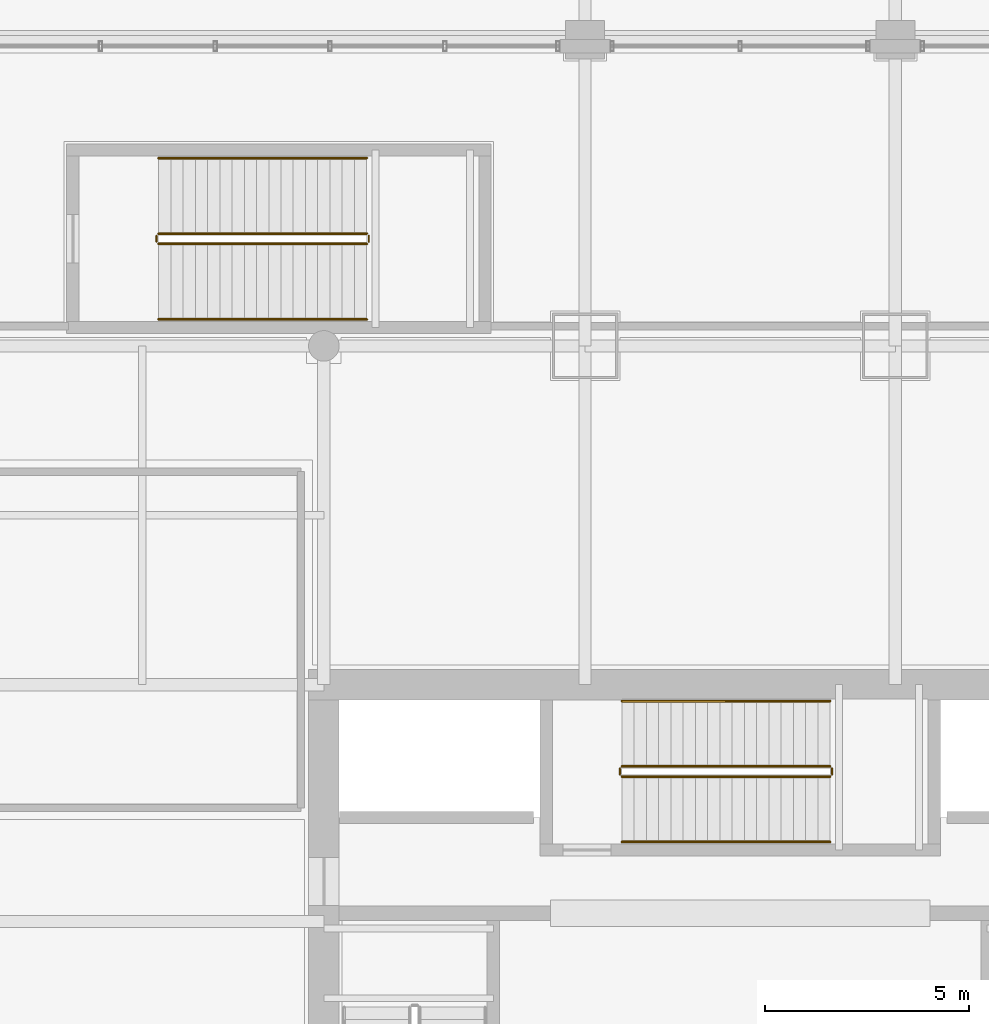
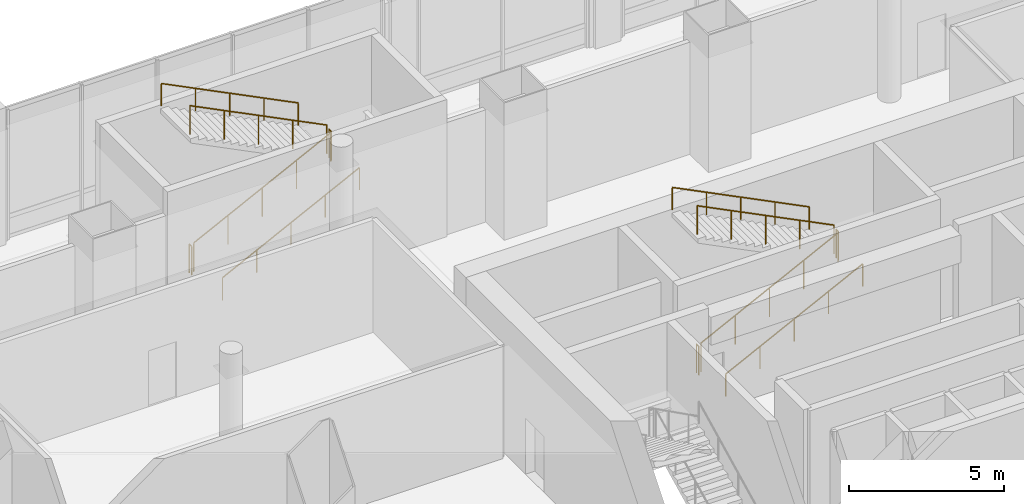
# One storey, part 40 of 43: 12 railings.
"""IFC4 building model written with IfcOpenShell, lengths in metres."""

from ifc_helpers import new_model, si_unit, direction, frame, origin, origin_2d, place, context, subcontext, project, spatial, circle, extrude, material, type_object, element, save


model = new_model("IFC4")

# Units and contexts
model_context = context("Model", 3, precision=1e-05, world=origin(), true_north=direction((0.0, 1.0)))
body_context = subcontext(model_context, "Body", "Model", "MODEL_VIEW")
ifc_project = project(units=[si_unit("LENGTHUNIT", "METRE"), si_unit("AREAUNIT", "SQUARE_METRE"), si_unit("VOLUMEUNIT", "CUBIC_METRE"), si_unit("PLANEANGLEUNIT", "RADIAN"), si_unit("MASSUNIT", "GRAM", prefix="KILO")], contexts=[model_context])

# Site, building, storey
site_placement = place(None, origin())
site = spatial("IfcSite", under=ifc_project, at=site_placement, CompositionType="ELEMENT")
building_placement = place(site_placement, origin())
building = spatial("IfcBuilding", under=site, at=building_placement, Name="Punatoya Terracotta Tower", CompositionType="ELEMENT")
storey_placement = place(building_placement, frame((0.0, 0.0, 6.0)))
storey = spatial("IfcBuildingStorey", under=building, at=storey_placement, Name="L01", CompositionType="ELEMENT", Elevation=6.0)

# Railings
ifc_material = material(Name="Steel S355", Category="steel")
railing_type_1 = type_object("IfcRailingType", Name="RLG-GRD-1150", PredefinedType="GUARDRAIL", material=ifc_material)
railing_1_placement = place(storey_placement, frame((-2.89990234375, 6.949951171875, 0.14990234375)))
element("IfcRailing", 1, at=railing_1_placement, inside=storey, type_object=railing_type_1, Name="L01 ST-3 stair guard 1", PredefinedType="GUARDRAIL", context=body_context, shape_type="SweptSolid", body=[
    extrude(circle(Radius=0.02392578125, at=origin_2d()), frame((0.0, 0.0, 1.1259765625), z_axis=(0.894418627299, 0.0, 0.447230722492), x_axis=(0.0, 1.0, 0.0)), (0.0, 0.0, 1.0), 5.701904296875),
    extrude(circle(Radius=0.02099609375, at=origin_2d()), origin(), (0.0, 0.0, 1.0), 1.101806640625),
    extrude(circle(Radius=0.02099609375, at=origin_2d()), frame((1.27490234375, 0.0, 0.637451171875)), (0.0, 0.0, 1.0), 1.101806640625),
    extrude(circle(Radius=0.02099609375, at=origin_2d()), frame((2.5498046875, 0.0, 1.27490234375)), (0.0, 0.0, 1.0), 1.101806640625),
    extrude(circle(Radius=0.02099609375, at=origin_2d()), frame((3.824951171875, 0.0, 1.91259765625)), (0.0, 0.0, 1.0), 1.101806640625),
    extrude(circle(Radius=0.02099609375, at=origin_2d()), frame((5.099853515625, 0.0, 2.550048828125)), (0.0, 0.0, 1.0), 1.101806640625),
])
railing_2_placement = place(storey_placement, frame((2.25, 7.0, 2.699951171875)))
element("IfcRailing", 2, at=railing_2_placement, inside=storey, type_object=railing_type_1, Name="L01 ST-3 stair guard 2", PredefinedType="GUARDRAIL", context=body_context, shape_type="SweptSolid", body=[
    extrude(circle(Radius=0.02392578125, at=origin_2d()), frame((0.0, 0.0, 1.1259765625), z_axis=(0.0, 1.0, 0.0), x_axis=(-1.0, 0.0, 0.0)), (0.0, 0.0, 1.0), 0.14990234375),
    extrude(circle(Radius=0.02099609375, at=origin_2d()), origin(), (0.0, 0.0, 1.0), 1.101806640625),
    extrude(circle(Radius=0.02099609375, at=origin_2d()), frame((0.0, 0.14990234375, 0.0)), (0.0, 0.0, 1.0), 1.101806640625),
])
railing_3_placement = place(storey_placement, frame((2.199951171875, 7.199951171875, 2.85009765625)))
element("IfcRailing", 3, at=railing_3_placement, inside=storey, type_object=railing_type_1, Name="L01 ST-3 stair guard 3", PredefinedType="GUARDRAIL", context=body_context, shape_type="SweptSolid", body=[
    extrude(circle(Radius=0.02392578125, at=origin_2d()), frame((0.0, 0.0, 1.1259765625), z_axis=(-0.894435754537, 0.0, 0.447196468016), x_axis=(0.0, -1.0, 0.0)), (0.0, 0.0, 1.0), 5.70166015625),
    extrude(circle(Radius=0.02099609375, at=origin_2d()), origin(), (0.0, 0.0, 1.0), 1.101806640625),
    extrude(circle(Radius=0.02099609375, at=origin_2d()), frame((-1.27490234375, 0.0, 0.637451171875)), (0.0, 0.0, 1.0), 1.101806640625),
    extrude(circle(Radius=0.02099609375, at=origin_2d()), frame((-2.5498046875, 0.0, 1.27490234375)), (0.0, 0.0, 1.0), 1.101806640625),
    extrude(circle(Radius=0.02099609375, at=origin_2d()), frame((-3.824951171875, 0.0, 1.912353515625)), (0.0, 0.0, 1.0), 1.101806640625),
    extrude(circle(Radius=0.02099609375, at=origin_2d()), frame((-5.099853515625, 0.0, 2.5498046875)), (0.0, 0.0, 1.0), 1.101806640625),
])
railing_4_placement = place(storey_placement, frame((-2.949951171875, 7.0, 0.0)))
element("IfcRailing", 4, at=railing_4_placement, inside=storey, type_object=railing_type_1, Name="L01 ST-3 stair guard 4", PredefinedType="GUARDRAIL", context=body_context, shape_type="SweptSolid", body=[
    extrude(circle(Radius=0.02392578125, at=origin_2d()), frame((0.0, 0.0, 1.1259765625), z_axis=(0.0, 1.0, 0.0), x_axis=(-1.0, 0.0, 0.0)), (0.0, 0.0, 1.0), 0.14990234375),
    extrude(circle(Radius=0.02099609375, at=origin_2d()), origin(), (0.0, 0.0, 1.0), 1.101806640625),
    extrude(circle(Radius=0.02099609375, at=origin_2d()), frame((0.0, 0.14990234375, 0.0)), (0.0, 0.0, 1.0), 1.101806640625),
])
railing_5_placement = place(storey_placement, frame((-14.25, 20.0, 0.14990234375)))
element("IfcRailing", 5, at=railing_5_placement, inside=storey, type_object=railing_type_1, Name="L01 ST-P1 stair guard 1", PredefinedType="GUARDRAIL", context=body_context, shape_type="SweptSolid", body=[
    extrude(circle(Radius=0.02392578125, at=origin_2d()), frame((0.0, 0.0, 1.1259765625), z_axis=(0.894427191, 0.0, 0.4472135955), x_axis=(0.0, 1.0, 0.0)), (0.0, 0.0, 1.0), 5.7021484375),
    extrude(circle(Radius=0.02099609375, at=origin_2d()), origin(), (0.0, 0.0, 1.0), 1.101806640625),
    extrude(circle(Radius=0.02099609375, at=origin_2d()), frame((1.27490234375, 0.0, 0.637451171875)), (0.0, 0.0, 1.0), 1.101806640625),
    extrude(circle(Radius=0.02099609375, at=origin_2d()), frame((2.550048828125, 0.0, 1.27490234375)), (0.0, 0.0, 1.0), 1.101806640625),
    extrude(circle(Radius=0.02099609375, at=origin_2d()), frame((3.8251953125, 0.0, 1.91259765625)), (0.0, 0.0, 1.0), 1.101806640625),
    extrude(circle(Radius=0.02099609375, at=origin_2d()), frame((5.10009765625, 0.0, 2.550048828125)), (0.0, 0.0, 1.0), 1.101806640625),
])
railing_6_placement = place(storey_placement, frame((-9.10009765625, 20.050048828125, 2.699951171875)))
element("IfcRailing", 6, at=railing_6_placement, inside=storey, type_object=railing_type_1, Name="L01 ST-P1 stair guard 2", PredefinedType="GUARDRAIL", context=body_context, shape_type="SweptSolid", body=[
    extrude(circle(Radius=0.02392578125, at=origin_2d()), frame((0.0, 0.0, 1.1259765625), z_axis=(0.0, 1.0, 0.0), x_axis=(-1.0, 0.0, 0.0)), (0.0, 0.0, 1.0), 0.14990234375),
    extrude(circle(Radius=0.02099609375, at=origin_2d()), origin(), (0.0, 0.0, 1.0), 1.101806640625),
    extrude(circle(Radius=0.02099609375, at=origin_2d()), frame((0.0, 0.14990234375, 0.0)), (0.0, 0.0, 1.0), 1.101806640625),
])
railing_7_placement = place(storey_placement, frame((-9.14990234375, 20.25, 2.85009765625)))
element("IfcRailing", 7, at=railing_7_placement, inside=storey, type_object=railing_type_1, Name="L01 ST-P1 stair guard 3", PredefinedType="GUARDRAIL", context=body_context, shape_type="SweptSolid", body=[
    extrude(circle(Radius=0.02392578125, at=origin_2d()), frame((0.0, 0.0, 1.1259765625), z_axis=(-0.89444431709, 0.0, 0.44717934168), x_axis=(0.0, -1.0, 0.0)), (0.0, 0.0, 1.0), 5.701904296875),
    extrude(circle(Radius=0.02099609375, at=origin_2d()), origin(), (0.0, 0.0, 1.0), 1.101806640625),
    extrude(circle(Radius=0.02099609375, at=origin_2d()), frame((-1.27490234375, 0.0, 0.637451171875)), (0.0, 0.0, 1.0), 1.101806640625),
    extrude(circle(Radius=0.02099609375, at=origin_2d()), frame((-2.550048828125, 0.0, 1.27490234375)), (0.0, 0.0, 1.0), 1.101806640625),
    extrude(circle(Radius=0.02099609375, at=origin_2d()), frame((-3.8251953125, 0.0, 1.912353515625)), (0.0, 0.0, 1.0), 1.101806640625),
    extrude(circle(Radius=0.02099609375, at=origin_2d()), frame((-5.10009765625, 0.0, 2.5498046875)), (0.0, 0.0, 1.0), 1.101806640625),
])
railing_8_placement = place(storey_placement, frame((-14.300048828125, 20.050048828125, 0.0)))
element("IfcRailing", 8, at=railing_8_placement, inside=storey, type_object=railing_type_1, Name="L01 ST-P1 stair guard 4", PredefinedType="GUARDRAIL", context=body_context, shape_type="SweptSolid", body=[
    extrude(circle(Radius=0.02392578125, at=origin_2d()), frame((0.0, 0.0, 1.1259765625), z_axis=(0.0, 1.0, 0.0), x_axis=(-1.0, 0.0, 0.0)), (0.0, 0.0, 1.0), 0.14990234375),
    extrude(circle(Radius=0.02099609375, at=origin_2d()), origin(), (0.0, 0.0, 1.0), 1.101806640625),
    extrude(circle(Radius=0.02099609375, at=origin_2d()), frame((0.0, 0.14990234375, 0.0)), (0.0, 0.0, 1.0), 1.101806640625),
])
railing_type_2 = type_object("IfcRailingType", Name="RLG-HND-900", PredefinedType="HANDRAIL", material=ifc_material)
railing_9_placement = place(storey_placement, frame((-2.89990234375, 5.35009765625, 0.14990234375)))
element("IfcRailing", 9, at=railing_9_placement, inside=storey, type_object=railing_type_2, Name="L01 ST-3 stair handrail 1", PredefinedType="HANDRAIL", context=body_context, shape_type="SweptSolid", body=[
    extrude(circle(Radius=0.02392578125, at=origin_2d()), frame((0.0, 0.0, 0.8759765625), z_axis=(0.894418627299, 0.0, 0.447230722492), x_axis=(0.0, 1.0, 0.0)), (0.0, 0.0, 1.0), 5.701904296875),
    extrude(circle(Radius=0.02099609375, at=origin_2d()), origin(), (0.0, 0.0, 1.0), 0.851806640625),
    extrude(circle(Radius=0.02099609375, at=origin_2d()), frame((1.27490234375, 0.0, 0.637451171875)), (0.0, 0.0, 1.0), 0.851806640625),
    extrude(circle(Radius=0.02099609375, at=origin_2d()), frame((2.5498046875, 0.0, 1.27490234375)), (0.0, 0.0, 1.0), 0.851806640625),
    extrude(circle(Radius=0.02099609375, at=origin_2d()), frame((3.824951171875, 0.0, 1.91259765625)), (0.0, 0.0, 1.0), 0.851806640625),
    extrude(circle(Radius=0.02099609375, at=origin_2d()), frame((5.099853515625, 0.0, 2.550048828125)), (0.0, 0.0, 1.0), 0.851806640625),
])
railing_10_placement = place(storey_placement, frame((2.199951171875, 8.800048828125, 2.85009765625)))
element("IfcRailing", 10, at=railing_10_placement, inside=storey, type_object=railing_type_2, Name="L01 ST-3 stair handrail 2", PredefinedType="HANDRAIL", context=body_context, shape_type="SweptSolid", body=[
    extrude(circle(Radius=0.02392578125, at=origin_2d()), frame((0.0, 0.0, 0.8759765625), z_axis=(-0.894435754537, 0.0, 0.447196468016), x_axis=(0.0, -1.0, 0.0)), (0.0, 0.0, 1.0), 5.70166015625),
    extrude(circle(Radius=0.02099609375, at=origin_2d()), origin(), (0.0, 0.0, 1.0), 0.851806640625),
    extrude(circle(Radius=0.02099609375, at=origin_2d()), frame((-1.27490234375, 0.0, 0.637451171875)), (0.0, 0.0, 1.0), 0.851806640625),
    extrude(circle(Radius=0.02099609375, at=origin_2d()), frame((-2.5498046875, 0.0, 1.27490234375)), (0.0, 0.0, 1.0), 0.851806640625),
    extrude(circle(Radius=0.02099609375, at=origin_2d()), frame((-3.824951171875, 0.0, 1.912353515625)), (0.0, 0.0, 1.0), 0.851806640625),
    extrude(circle(Radius=0.02099609375, at=origin_2d()), frame((-5.099853515625, 0.0, 2.5498046875)), (0.0, 0.0, 1.0), 0.851806640625),
])
railing_11_placement = place(storey_placement, frame((-14.25, 18.14990234375, 0.14990234375)))
element("IfcRailing", 11, at=railing_11_placement, inside=storey, type_object=railing_type_2, Name="L01 ST-P1 stair handrail 1", PredefinedType="HANDRAIL", context=body_context, shape_type="SweptSolid", body=[
    extrude(circle(Radius=0.02392578125, at=origin_2d()), frame((0.0, 0.0, 0.8759765625), z_axis=(0.894427191, 0.0, 0.4472135955), x_axis=(0.0, 1.0, 0.0)), (0.0, 0.0, 1.0), 5.7021484375),
    extrude(circle(Radius=0.02099609375, at=origin_2d()), origin(), (0.0, 0.0, 1.0), 0.851806640625),
    extrude(circle(Radius=0.02099609375, at=origin_2d()), frame((1.27490234375, 0.0, 0.637451171875)), (0.0, 0.0, 1.0), 0.851806640625),
    extrude(circle(Radius=0.02099609375, at=origin_2d()), frame((2.550048828125, 0.0, 1.27490234375)), (0.0, 0.0, 1.0), 0.851806640625),
    extrude(circle(Radius=0.02099609375, at=origin_2d()), frame((3.8251953125, 0.0, 1.91259765625)), (0.0, 0.0, 1.0), 0.851806640625),
    extrude(circle(Radius=0.02099609375, at=origin_2d()), frame((5.10009765625, 0.0, 2.550048828125)), (0.0, 0.0, 1.0), 0.851806640625),
])
railing_12_placement = place(storey_placement, frame((-9.14990234375, 22.10009765625, 2.85009765625)))
element("IfcRailing", 12, at=railing_12_placement, inside=storey, type_object=railing_type_2, Name="L01 ST-P1 stair handrail 2", PredefinedType="HANDRAIL", context=body_context, shape_type="SweptSolid", body=[
    extrude(circle(Radius=0.02392578125, at=origin_2d()), frame((0.0, 0.0, 0.8759765625), z_axis=(-0.89444431709, 0.0, 0.44717934168), x_axis=(0.0, -1.0, 0.0)), (0.0, 0.0, 1.0), 5.701904296875),
    extrude(circle(Radius=0.02099609375, at=origin_2d()), origin(), (0.0, 0.0, 1.0), 0.851806640625),
    extrude(circle(Radius=0.02099609375, at=origin_2d()), frame((-1.27490234375, 0.0, 0.637451171875)), (0.0, 0.0, 1.0), 0.851806640625),
    extrude(circle(Radius=0.02099609375, at=origin_2d()), frame((-2.550048828125, 0.0, 1.27490234375)), (0.0, 0.0, 1.0), 0.851806640625),
    extrude(circle(Radius=0.02099609375, at=origin_2d()), frame((-3.8251953125, 0.0, 1.912353515625)), (0.0, 0.0, 1.0), 0.851806640625),
    extrude(circle(Radius=0.02099609375, at=origin_2d()), frame((-5.10009765625, 0.0, 2.5498046875)), (0.0, 0.0, 1.0), 0.851806640625),
])

save(model, "model.ifc")
